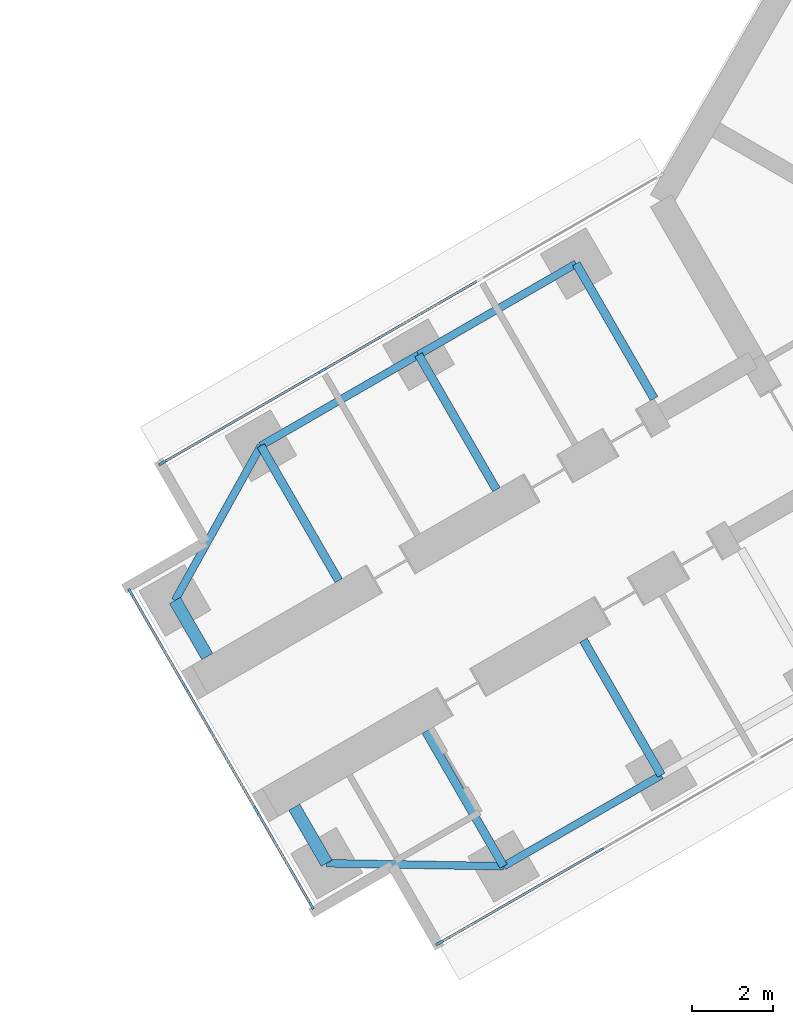
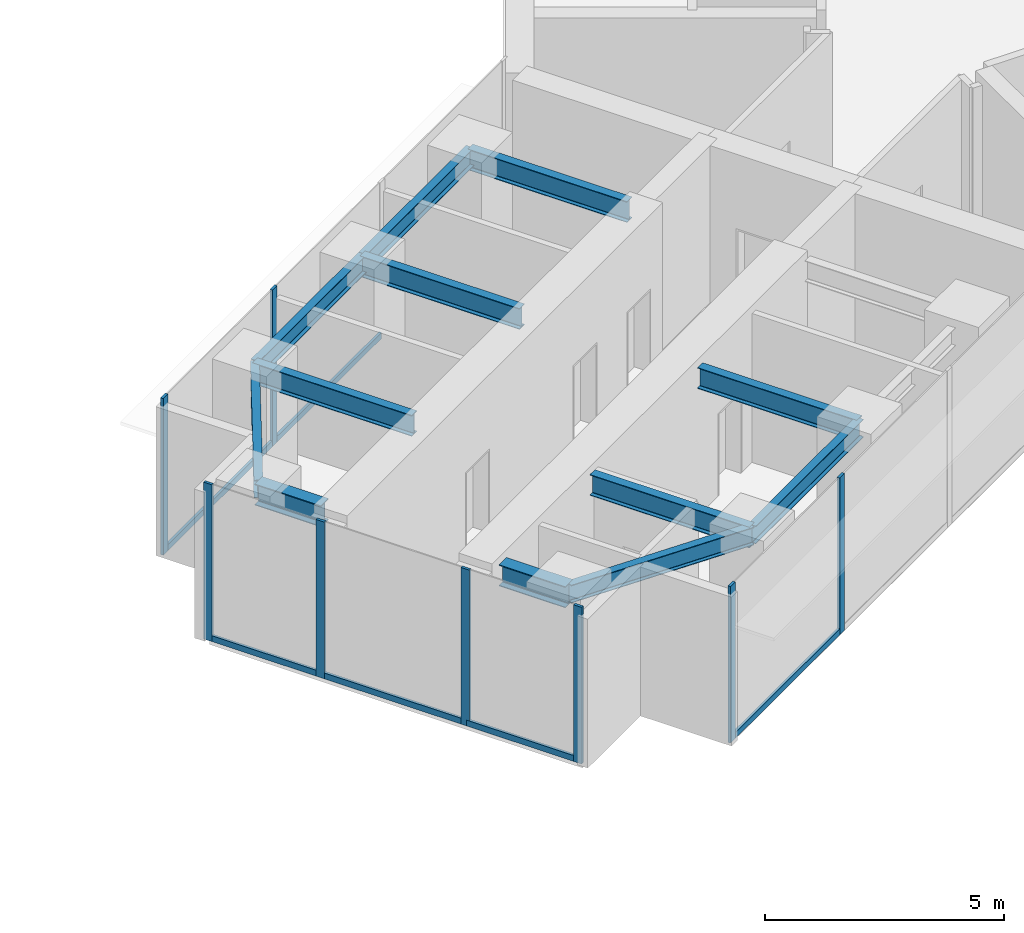
# One storey, part 3 of 22: 14 members, 12 beams, 3 elements without a shape of their own.
"""IFC4 building model written with IfcOpenShell, lengths in metres."""

from ifc_helpers import new_model, si_unit, direction, frame, origin, origin_2d, place, context, subcontext, project, spatial, rectangle, i_section, extrude, material, material_profile, profile_set, type_object, element, aggregate, save


model = new_model("IFC4")

# Units and contexts
model_context = context("Model", 3, precision=1e-05, world=origin(), true_north=direction((0.0, 1.0)))
body_context = subcontext(model_context, "Body", "Model", "MODEL_VIEW")
ifc_project = project(units=[si_unit("LENGTHUNIT", "METRE"), si_unit("AREAUNIT", "SQUARE_METRE"), si_unit("VOLUMEUNIT", "CUBIC_METRE"), si_unit("PLANEANGLEUNIT", "RADIAN"), si_unit("MASSUNIT", "GRAM", prefix="KILO")], contexts=[model_context])

# Site, building, storey
site_placement = place(None, origin())
site = spatial("IfcSite", under=ifc_project, at=site_placement, CompositionType="ELEMENT")
building_placement = place(site_placement, origin())
building = spatial("IfcBuilding", under=site, at=building_placement, Name="Upepo Twin Towers", CompositionType="ELEMENT")
storey_placement = place(building_placement, frame((0.0, 0.0, 121.5)))
storey = spatial("IfcBuildingStorey", under=building, at=storey_placement, Name="L29", CompositionType="ELEMENT", Elevation=121.5)

# Beams
ifc_material_1 = material(Name="Steel S355", Category="steel")
ifc_material_profile_1 = material_profile(ifc_material_1, i_section(OverallWidth=0.1904296875, OverallDepth=0.45703125, WebThickness=0.009033203125, FlangeThickness=0.014404296875, FilletRadius=0.01025390625, at=origin_2d()), Name="UB 457x191x74")
ifc_profile_set_1 = profile_set([ifc_material_profile_1], Name="Steel S355")
beam_type_1 = type_object("IfcBeamType", Name="Beam UB 457x191x74", PredefinedType="BEAM", material=ifc_profile_set_1)
beam_1_placement = place(storey_placement, frame((45.91162109375, -32.196044921875, 3.571533203125), z_axis=(-0.866031096941, -0.499990139034, 0.0), x_axis=(0.499990139034, -0.866031096941, 0.0)))
element("IfcBeam", 1, at=beam_1_placement, inside=storey, type_object=beam_type_1, Name="T2 edge beam BL 18.0-22.5", PredefinedType="BEAM", context=body_context, shape_type="SweptSolid", body=[
    extrude(i_section(OverallWidth=0.1904296875, OverallDepth=0.45703125, WebThickness=0.009033203125, FlangeThickness=0.014404296875, FilletRadius=0.01025390625, at=origin_2d()), origin(), (0.0, 0.0, 1.0), 4.5),
])
beam_2_placement = place(storey_placement, frame((42.014404296875, -34.446044921875, 3.571533203125), z_axis=(-0.999858804832, 0.016803880528, 0.0), x_axis=(-0.016803880528, -0.999858804832, 0.0)))
element("IfcBeam", 2, at=beam_2_placement, inside=storey, type_object=beam_type_1, Name="T2 nose edge beam BL", PredefinedType="BEAM", context=body_context, shape_type="SweptSolid", body=[
    extrude(i_section(OverallWidth=0.1904296875, OverallDepth=0.45703125, WebThickness=0.009033203125, FlangeThickness=0.014404296875, FilletRadius=0.01025390625, at=origin_2d()), origin(), (0.0, 0.0, 1.0), 4.373291015625),
])
beam_3_placement = place(storey_placement, frame((43.80859375, -19.553955078125, 3.571533203125), z_axis=(-0.866017533419, -0.500013631625, 0.0), x_axis=(0.500013631625, -0.866017533419, 0.0)))
element("IfcBeam", 3, at=beam_3_placement, inside=storey, type_object=beam_type_1, Name="T2 edge beam BR 13.5-18.0", PredefinedType="BEAM", context=body_context, shape_type="SweptSolid", body=[
    extrude(i_section(OverallWidth=0.1904296875, OverallDepth=0.45703125, WebThickness=0.009033203125, FlangeThickness=0.014404296875, FilletRadius=0.01025390625, at=origin_2d()), origin(), (0.0, 0.0, 1.0), 4.499755859375),
])
beam_4_placement = place(storey_placement, frame((39.91162109375, -21.803955078125, 3.571533203125), z_axis=(-0.866031096941, -0.499990139034, 0.0), x_axis=(0.499990139034, -0.866031096941, 0.0)))
element("IfcBeam", 4, at=beam_4_placement, inside=storey, type_object=beam_type_1, Name="T2 edge beam BR 18.0-22.5", PredefinedType="BEAM", context=body_context, shape_type="SweptSolid", body=[
    extrude(i_section(OverallWidth=0.1904296875, OverallDepth=0.45703125, WebThickness=0.009033203125, FlangeThickness=0.014404296875, FilletRadius=0.01025390625, at=origin_2d()), origin(), (0.0, 0.0, 1.0), 4.5),
])
beam_5_placement = place(storey_placement, frame((36.014404296875, -24.053955078125, 3.571533203125), z_axis=(-0.485363242752, -0.874312600038, 0.0), x_axis=(0.874312600038, -0.485363242752, 0.0)))
element("IfcBeam", 5, at=beam_5_placement, inside=storey, type_object=beam_type_1, Name="T2 nose edge beam BR", PredefinedType="BEAM", context=body_context, shape_type="SweptSolid", body=[
    extrude(i_section(OverallWidth=0.1904296875, OverallDepth=0.45703125, WebThickness=0.009033203125, FlangeThickness=0.014404296875, FilletRadius=0.01025390625, at=origin_2d()), origin(), (0.0, 0.0, 1.0), 4.373046875),
])
ifc_material_2 = material(Name="Steel S355", Category="steel")
ifc_material_profile_2 = material_profile(ifc_material_2, i_section(OverallWidth=0.209228515625, OverallDepth=0.533203125, WebThickness=0.010009765625, FlangeThickness=0.015625, FilletRadius=0.0126953125, at=origin_2d()), Name="UB 533x210x92")
ifc_profile_set_2 = profile_set([ifc_material_profile_2], Name="Steel S355")
beam_type_2 = type_object("IfcBeamType", Name="Beam UB 533x210x92", PredefinedType="BEAM", material=ifc_profile_set_2)
for number, where, z_axis, x_axis, name in (
    (6, (45.91162109375, -32.196044921875, 3.533447265625), (-0.500033517596, 0.866006051527, 0.0), (-0.866006051527, -0.500033517596, 0.0), "T2 girder BL at 18.0"),
    (7, (42.014404296875, -34.446044921875, 3.533447265625), (-0.500033517596, 0.866006051527, 0.0), (-0.866006051527, -0.500033517596, 0.0), "T2 girder BL at 22.5"),
    (8, (43.80859375, -19.553955078125, 3.533447265625), (0.500033517596, -0.866006051527, 0.0), (0.866006051527, 0.500033517596, 0.0), "T2 girder BR at 13.5"),
):
    element("IfcBeam", number, at=place(storey_placement, frame(where, z_axis=z_axis, x_axis=x_axis)), inside=storey, type_object=beam_type_2, Name=name, PredefinedType="BEAM", context=body_context, shape_type="SweptSolid", body=[
        extrude(i_section(OverallWidth=0.209228515625, OverallDepth=0.533203125, WebThickness=0.010009765625, FlangeThickness=0.015625, FilletRadius=0.0126953125, at=origin_2d()), origin(), (0.0, 0.0, 1.0), 3.849853515625),
    ])
beam_6_placement = place(storey_placement, frame((39.91162109375, -21.803955078125, 3.533447265625), z_axis=(0.499985955615, -0.866033512162, 0.0), x_axis=(0.866033512162, 0.499985955615, 0.0)))
element("IfcBeam", 9, at=beam_6_placement, inside=storey, type_object=beam_type_2, Name="T2 girder BR at 18.0", PredefinedType="BEAM", context=body_context, shape_type="SweptSolid", body=[
    extrude(i_section(OverallWidth=0.209228515625, OverallDepth=0.533203125, WebThickness=0.010009765625, FlangeThickness=0.015625, FilletRadius=0.0126953125, at=origin_2d()), origin(), (0.0, 0.0, 1.0), 3.849609375),
])
beam_7_placement = place(storey_placement, frame((36.014404296875, -24.053955078125, 3.533447265625), z_axis=(0.500033517596, -0.866006051527, 0.0), x_axis=(0.866006051527, 0.500033517596, 0.0)))
element("IfcBeam", 10, at=beam_7_placement, inside=storey, type_object=beam_type_2, Name="T2 girder BR at 22.5", PredefinedType="BEAM", context=body_context, shape_type="SweptSolid", body=[
    extrude(i_section(OverallWidth=0.209228515625, OverallDepth=0.533203125, WebThickness=0.010009765625, FlangeThickness=0.015625, FilletRadius=0.0126953125, at=origin_2d()), origin(), (0.0, 0.0, 1.0), 3.849853515625),
])
ifc_material_3 = material(Name="Steel S355", Category="steel")
ifc_material_profile_3 = material_profile(ifc_material_3, i_section(OverallWidth=0.31201171875, OverallDepth=0.54345703125, WebThickness=0.0126953125, FlangeThickness=0.020263671875, FilletRadius=0.0126953125, at=origin_2d()), Name="UB 533x312x150")
ifc_profile_set_3 = profile_set([ifc_material_profile_3], Name="Steel S355")
beam_type_3 = type_object("IfcBeamType", Name="Beam UB 533x312x150", PredefinedType="BEAM", material=ifc_profile_set_3)
for number, where, z_axis, x_axis, name in (
    (11, (37.641845703125, -34.37255859375, 3.5283203125), (-0.500061482766, 0.865989903783, 0.0), (-0.865989903783, -0.500061482766, 0.0), "T2 nose beam BL"),
    (12, (33.891845703125, -27.87744140625, 3.5283203125), (0.500061482766, -0.865989903783, 0.0), (0.865989903783, 0.500061482766, 0.0), "T2 nose beam BR"),
):
    element("IfcBeam", number, at=place(storey_placement, frame(where, z_axis=z_axis, x_axis=x_axis)), inside=storey, type_object=beam_type_3, Name=name, PredefinedType="BEAM", context=body_context, shape_type="SweptSolid", body=[
        extrude(i_section(OverallWidth=0.31201171875, OverallDepth=0.54345703125, WebThickness=0.0126953125, FlangeThickness=0.020263671875, FilletRadius=0.0126953125, at=origin_2d()), origin(), (0.0, 0.0, 1.0), 1.599853515625),
    ])

# Curtain wall, members
ifc_material_4 = material(Name="Aluminium and fritted glass", Category="aluminium")
curtain_wall_type = type_object("IfcCurtainWallType", Name="Tower curtain wall TW2, fritted glass", PredefinedType="NOTDEFINED", material=ifc_material_4)
curtain_wall_1_placement = place(storey_placement, origin())
curtain_wall_1 = element("IfcCurtainWall", 13, at=curtain_wall_1_placement, inside=storey, type_object=curtain_wall_type, Name="T2 L29 wing B flank L curtain wall", PredefinedType="NOTDEFINED")
ifc_material_5 = material(Name="Aluminium mullion", Category="aluminium")
ifc_material_profile_4 = material_profile(ifc_material_5, rectangle(XDim=0.06494140625, YDim=0.199951171875, at=origin_2d()), Name="MULLION 65x200")
ifc_profile_set_4 = profile_set([ifc_material_profile_4], Name="Aluminium mullion")
member_type_1 = type_object("IfcMemberType", Name="Mullion 65x200 TW2", PredefinedType="MULLION", material=ifc_profile_set_4)
member_1_placement = place(storey_placement, frame((44.387939453125, -34.057373046875, 0.0), z_axis=(0.0, 0.0, 1.0), x_axis=(0.500000010308, -0.866025397833, 0.0)))
member_1 = element("IfcMember", 14, at=member_1_placement, type_object=member_type_1, Name="T2 L29 wing B flank L curtain wall mullion 3", PredefinedType="MULLION", context=body_context, shape_type="SweptSolid", body=[
    extrude(rectangle(XDim=0.06494140625, YDim=0.199951171875, at=origin_2d()), origin(), (0.0, 0.0, 1.0), 4.0),
])
member_2_placement = place(storey_placement, frame((40.432373046875, -36.341064453125, 0.0), z_axis=(0.0, 0.0, 1.0), x_axis=(0.500000010308, -0.866025397833, 0.0)))
member_2 = element("IfcMember", 15, at=member_2_placement, type_object=member_type_1, Name="T2 L29 wing B flank L curtain wall mullion 4", PredefinedType="MULLION", context=body_context, shape_type="SweptSolid", body=[
    extrude(rectangle(XDim=0.06494140625, YDim=0.199951171875, at=origin_2d()), origin(), (0.0, 0.0, 1.0), 4.0),
])

curtain_wall_2_placement = place(storey_placement, origin())
curtain_wall_2 = element("IfcCurtainWall", 16, at=curtain_wall_2_placement, inside=storey, type_object=curtain_wall_type, Name="T2 L29 wing B flank R curtain wall", PredefinedType="NOTDEFINED")
member_3_placement = place(storey_placement, frame((33.58251953125, -24.4765625, 0.0), z_axis=(0.0, 0.0, 1.0), x_axis=(-0.500000010308, 0.866025397833, 0.0)))
member_3 = element("IfcMember", 17, at=member_3_placement, type_object=member_type_1, Name="T2 L29 wing B flank R curtain wall mullion 1", PredefinedType="MULLION", context=body_context, shape_type="SweptSolid", body=[
    extrude(rectangle(XDim=0.06494140625, YDim=0.199951171875, at=origin_2d()), origin(), (0.0, 0.0, 1.0), 4.0),
])
member_4_placement = place(storey_placement, frame((37.5380859375, -22.192626953125, 0.0), z_axis=(0.0, 0.0, 1.0), x_axis=(-0.500000010308, 0.866025397833, 0.0)))
member_4 = element("IfcMember", 18, at=member_4_placement, type_object=member_type_1, Name="T2 L29 wing B flank R curtain wall mullion 2", PredefinedType="MULLION", context=body_context, shape_type="SweptSolid", body=[
    extrude(rectangle(XDim=0.06494140625, YDim=0.199951171875, at=origin_2d()), origin(), (0.0, 0.0, 1.0), 4.0),
])

curtain_wall_3_placement = place(storey_placement, origin())
curtain_wall_3 = element("IfcCurtainWall", 19, at=curtain_wall_3_placement, inside=storey, type_object=curtain_wall_type, Name="T2 L29 wing B nose curtain wall", PredefinedType="NOTDEFINED")
member_5_placement = place(storey_placement, frame((32.796875, -27.68115234375, 0.0), z_axis=(0.0, 0.0, 1.0), x_axis=(0.866025386174, 0.500000030502, 0.0)))
member_5 = element("IfcMember", 20, at=member_5_placement, type_object=member_type_1, Name="T2 L29 wing B nose curtain wall mullion 1", PredefinedType="MULLION", context=body_context, shape_type="SweptSolid", body=[
    extrude(rectangle(XDim=0.06494140625, YDim=0.199951171875, at=origin_2d()), origin(), (0.0, 0.0, 1.0), 4.0),
])
member_6_placement = place(storey_placement, frame((34.15576171875, -30.034423828125, 0.0), z_axis=(0.0, 0.0, 1.0), x_axis=(0.866025386174, 0.500000030502, 0.0)))
member_6 = element("IfcMember", 21, at=member_6_placement, type_object=member_type_1, Name="T2 L29 wing B nose curtain wall mullion 2", PredefinedType="MULLION", context=body_context, shape_type="SweptSolid", body=[
    extrude(rectangle(XDim=0.06494140625, YDim=0.199951171875, at=origin_2d()), origin(), (0.0, 0.0, 1.0), 4.0),
])
member_7_placement = place(storey_placement, frame((35.90576171875, -33.0654296875, 0.0), z_axis=(0.0, 0.0, 1.0), x_axis=(0.866025386174, 0.500000030502, 0.0)))
member_7 = element("IfcMember", 22, at=member_7_placement, type_object=member_type_1, Name="T2 L29 wing B nose curtain wall mullion 3", PredefinedType="MULLION", context=body_context, shape_type="SweptSolid", body=[
    extrude(rectangle(XDim=0.06494140625, YDim=0.199951171875, at=origin_2d()), origin(), (0.0, 0.0, 1.0), 4.0),
])
member_8_placement = place(storey_placement, frame((37.264404296875, -35.4189453125, 0.0), z_axis=(0.0, 0.0, 1.0), x_axis=(0.866025386174, 0.500000030502, 0.0)))
member_8 = element("IfcMember", 23, at=member_8_placement, type_object=member_type_1, Name="T2 L29 wing B nose curtain wall mullion 4", PredefinedType="MULLION", context=body_context, shape_type="SweptSolid", body=[
    extrude(rectangle(XDim=0.06494140625, YDim=0.199951171875, at=origin_2d()), origin(), (0.0, 0.0, 1.0), 4.0),
])

# Member
ifc_material_6 = material(Name="Aluminium transom", Category="aluminium")
ifc_material_profile_5 = material_profile(ifc_material_6, rectangle(XDim=0.06494140625, YDim=0.14990234375, at=origin_2d()), Name="TRANSOM 65x150")
ifc_profile_set_5 = profile_set([ifc_material_profile_5], Name="Aluminium transom")
member_type_2 = type_object("IfcMemberType", Name="Transom 65x150 TW2", PredefinedType="USERDEFINED", material=ifc_profile_set_5)
member_9_placement = place(storey_placement, frame((44.35986328125, -34.073486328125, 0.074951171875), z_axis=(-0.866035699072, -0.499982167615, 0.0), x_axis=(0.499982167615, -0.866035699072, 0.0)))
member_9 = element("IfcMember", 24, at=member_9_placement, type_object=member_type_2, Name="T2 L29 wing B flank L curtain wall transom 3", ObjectType="TRANSOM", PredefinedType="USERDEFINED", context=body_context, shape_type="SweptSolid", body=[
    extrude(rectangle(XDim=0.06494140625, YDim=0.14990234375, at=origin_2d()), origin(), (0.0, 0.0, 1.0), 4.502685546875),
])

aggregate(curtain_wall_1, [member_1, member_2, member_9])

member_10_placement = place(storey_placement, frame((33.610595703125, -24.460205078125, 0.074951171875), z_axis=(0.866022143554, 0.500005646842, 0.0), x_axis=(-0.500005646842, 0.866022143554, 0.0)))
member_10 = element("IfcMember", 25, at=member_10_placement, type_object=member_type_2, Name="T2 L29 wing B flank R curtain wall transom 1", ObjectType="TRANSOM", PredefinedType="USERDEFINED", context=body_context, shape_type="SweptSolid", body=[
    extrude(rectangle(XDim=0.06494140625, YDim=0.14990234375, at=origin_2d()), origin(), (0.0, 0.0, 1.0), 4.50244140625),
])

member_11_placement = place(storey_placement, frame((37.566162109375, -22.176513671875, 0.074951171875), z_axis=(0.866022410713, 0.500005184116, 0.0), x_axis=(-0.500005184116, 0.866022410713, 0.0)))
member_11 = element("IfcMember", 26, at=member_11_placement, type_object=member_type_2, Name="T2 L29 wing B flank R curtain wall transom 2", ObjectType="TRANSOM", PredefinedType="USERDEFINED", context=body_context, shape_type="SweptSolid", body=[
    extrude(rectangle(XDim=0.06494140625, YDim=0.14990234375, at=origin_2d()), origin(), (0.0, 0.0, 1.0), 4.43505859375),
])

aggregate(curtain_wall_2, [member_3, member_4, member_10, member_11])

member_12_placement = place(storey_placement, frame((32.813232421875, -27.709228515625, 0.074951171875), z_axis=(0.499980071345, -0.866036909293, 0.0), x_axis=(0.866036909293, 0.499980071345, 0.0)))
member_12 = element("IfcMember", 27, at=member_12_placement, type_object=member_type_2, Name="T2 L29 wing B nose curtain wall transom 1", ObjectType="TRANSOM", PredefinedType="USERDEFINED", context=body_context, shape_type="SweptSolid", body=[
    extrude(rectangle(XDim=0.06494140625, YDim=0.14990234375, at=origin_2d()), origin(), (0.0, 0.0, 1.0), 2.65234375),
])

member_13_placement = place(storey_placement, frame((34.171875, -30.0625, 0.074951171875), z_axis=(0.499999305434, -0.866025804792, 0.0), x_axis=(0.866025804792, 0.499999305434, 0.0)))
member_13 = element("IfcMember", 28, at=member_13_placement, type_object=member_type_2, Name="T2 L29 wing B nose curtain wall transom 2", ObjectType="TRANSOM", PredefinedType="USERDEFINED", context=body_context, shape_type="SweptSolid", body=[
    extrude(rectangle(XDim=0.06494140625, YDim=0.14990234375, at=origin_2d()), origin(), (0.0, 0.0, 1.0), 3.43505859375),
])

member_14_placement = place(storey_placement, frame((35.921875, -33.09375, 0.074951171875), z_axis=(0.500049101008, -0.865997053448, 0.0), x_axis=(0.865997053448, 0.500049101008, 0.0)))
member_14 = element("IfcMember", 29, at=member_14_placement, type_object=member_type_2, Name="T2 L29 wing B nose curtain wall transom 3", ObjectType="TRANSOM", PredefinedType="USERDEFINED", context=body_context, shape_type="SweptSolid", body=[
    extrude(rectangle(XDim=0.06494140625, YDim=0.14990234375, at=origin_2d()), origin(), (0.0, 0.0, 1.0), 2.652587890625),
])

aggregate(curtain_wall_3, [member_5, member_6, member_7, member_8, member_12, member_13, member_14])

save(model, "model.ifc")
